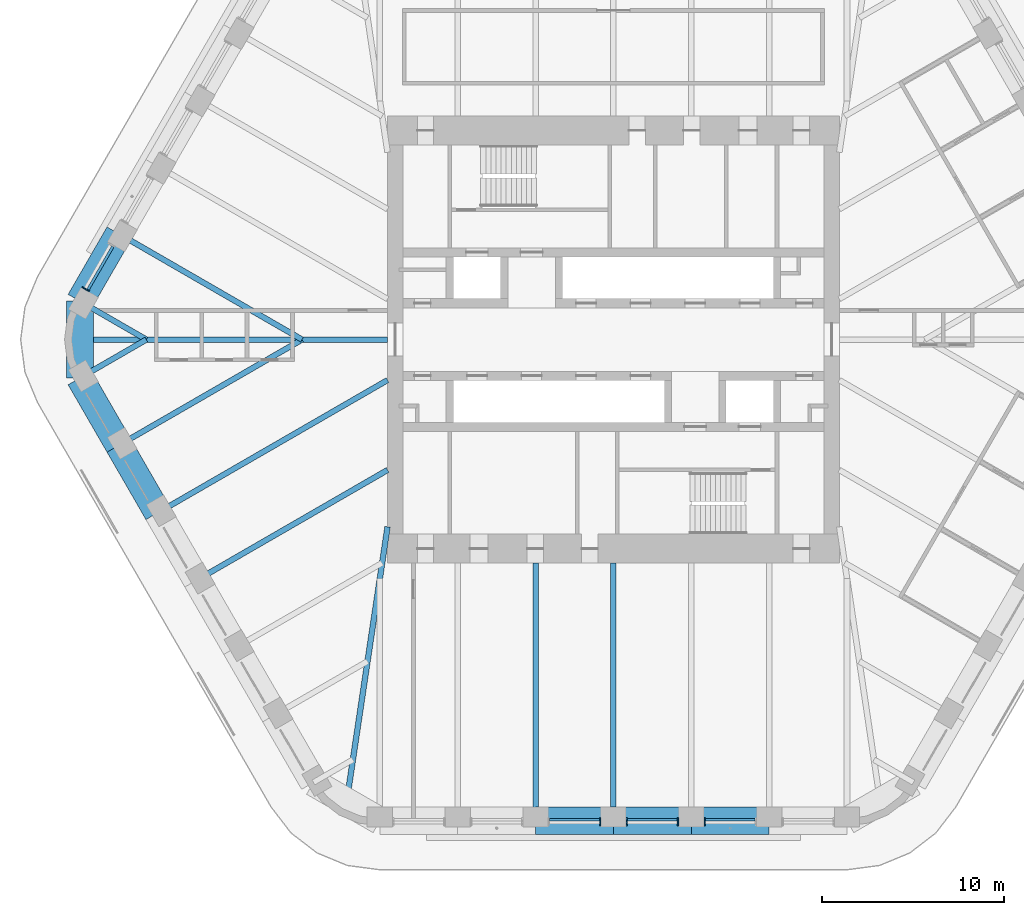
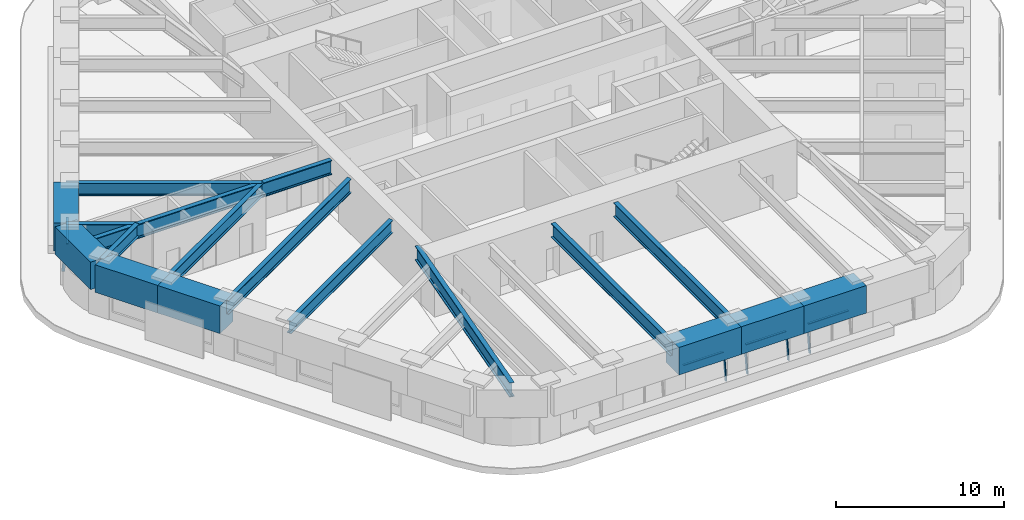
# One storey, part 3 of 18: 17 beams, 9 members, 4 elements without a shape of their own.
"""IFC4 building model written with IfcOpenShell, lengths in metres."""

import ifcopenshell
import ifcopenshell.guid

model = None  # the IFC model being written
_history = None  # IfcOwnerHistory: only IFC2X3 demands one
_inside = {}  # id of a spatial element -> (the spatial element, [elements in it])
_under = {}  # id of a project, library or spatial element -> (it, [spatial elements below it])
_declared = {}  # id of a project -> (the project, [libraries it declares])
_typed = {}  # id of a type object -> (the type object, [elements of that type])
_made_of = {}  # id of a material, layer set ... -> (it, [elements and type objects made of it])


def new_model(schema):
    """Start an empty IFC model of exactly this schema.

    Asked for "IFC4X3", IfcOpenShell would pick the latest addendum, in which some entities
    have other attributes; the version numbers below select the first issue.
    IFC2X3 requires an IfcOwnerHistory on every rooted entity: one is made here for all.
    """
    global model, _history
    if schema == "IFC4X3":
        model = ifcopenshell.file(schema_version=(4, 3, 0, 0))
    else:
        model = ifcopenshell.file(schema=schema)
    _inside.clear()
    _under.clear()
    _declared.clear()
    _typed.clear()
    _made_of.clear()
    _history = None
    if model.schema == "IFC2X3":
        org = make("IfcOrganization", Name="unknown")
        user = make(
            "IfcPersonAndOrganization",
            ThePerson=make("IfcPerson", FamilyName="unknown"),
            TheOrganization=org,
        )
        app = make(
            "IfcApplication",
            ApplicationDeveloper=org,
            Version="unknown",
            ApplicationFullName="unknown",
            ApplicationIdentifier="unknown",
        )
        _history = make(
            "IfcOwnerHistory",
            OwningUser=user,
            OwningApplication=app,
            ChangeAction="ADDED",
            CreationDate=0,
        )
    return model


def make(cls, **values):
    """One entity of the class cls with the attributes given. An attribute that is None is left unset."""
    return model.create_entity(
        cls, **{name: value for name, value in values.items() if value is not None}
    )


def rooted(cls, **values):
    """An entity with a GlobalId (a new one), such as an element, a storey or a relation."""
    return make(cls, GlobalId=ifcopenshell.guid.new(), OwnerHistory=_history, **values)


def si_unit(unit_type, name, prefix=None):
    """IfcSIUnit, for example si_unit("LENGTHUNIT", "METRE", prefix="MILLI")."""
    return make("IfcSIUnit", UnitType=unit_type, Prefix=prefix, Name=name)


def assignment(units):
    """IfcUnitAssignment: the units of a project."""
    return None if units is None else make("IfcUnitAssignment", Units=units)


def point(xyz):
    """IfcCartesianPoint."""
    return None if xyz is None else make("IfcCartesianPoint", Coordinates=xyz)


def direction(xyz):
    """IfcDirection."""
    return None if xyz is None else make("IfcDirection", DirectionRatios=xyz)


def frame(location, z_axis=None, x_axis=None):
    """IfcAxis2Placement3D, a coordinate frame: its origin and axes. An axis left out is left unset."""
    return make(
        "IfcAxis2Placement3D",
        Location=point(location),
        Axis=direction(z_axis),
        RefDirection=direction(x_axis),
    )


def frame_2d(location, x_axis=None):
    """IfcAxis2Placement2D, a coordinate frame in the plane: its origin and x axis."""
    return make(
        "IfcAxis2Placement2D", Location=point(location), RefDirection=direction(x_axis)
    )


def origin():
    """The frame at (0, 0, 0) with its axes left unset."""
    return frame((0.0, 0.0, 0.0))


def origin_2d():
    """The frame at (0, 0) in the plane with its x axis left unset."""
    return frame_2d((0.0, 0.0))


def place(relative_to, where):
    """IfcLocalPlacement: puts the frame where relative to a parent placement (None: the world)."""
    return make(
        "IfcLocalPlacement", PlacementRelTo=relative_to, RelativePlacement=where
    )


def context(
    kind, dimensions, precision=None, world=None, true_north=None, identifier=None
):
    """IfcGeometricRepresentationContext, for example the 3D "Model" context."""
    return make(
        "IfcGeometricRepresentationContext",
        ContextIdentifier=identifier,
        ContextType=kind,
        CoordinateSpaceDimension=dimensions,
        Precision=precision,
        WorldCoordinateSystem=world,
        TrueNorth=true_north,
    )


def subcontext(parent, identifier, kind, view, scale=None):
    """IfcGeometricRepresentationSubContext, for example "Body" below "Model"."""
    return make(
        "IfcGeometricRepresentationSubContext",
        ContextIdentifier=identifier,
        ContextType=kind,
        ParentContext=parent,
        TargetScale=scale,
        TargetView=view,
    )


def project(units=None, contexts=None):
    """IfcProject with its units and contexts."""
    return rooted(
        "IfcProject",
        Name="project",
        RepresentationContexts=contexts,
        UnitsInContext=assignment(units),
    )


def spatial(cls, under=None, at=None, **own):
    """A site, building, storey or space (cls), placed at a placement, below another one or the project."""
    s = rooted(cls, ObjectPlacement=at, **own)
    if under is not None:
        _under.setdefault(under.id(), (under, []))[1].append(s)
    return s


def profile(cls, at=None, kind="AREA", **sizes):
    """A parametric profile (cls). Its sizes go by their IFC names, for example OverallWidth=200.0."""
    return make(cls, ProfileType=kind, Position=at, **sizes)


def rectangle(**sizes):
    """IfcRectangleProfileDef."""
    return profile("IfcRectangleProfileDef", **sizes)


def i_section(**sizes):
    """IfcIShapeProfileDef."""
    return profile("IfcIShapeProfileDef", **sizes)


def extrude(swept, where, along, depth):
    """IfcExtrudedAreaSolid: the profile swept, set in the frame where, extruded along a direction by depth."""
    return make(
        "IfcExtrudedAreaSolid",
        SweptArea=swept,
        Position=where,
        ExtrudedDirection=direction(along),
        Depth=depth,
    )


def shape(context_of_items, identifier, shape_type, items):
    """IfcShapeRepresentation: the items that make up one representation, for example the "Body"."""
    return make(
        "IfcShapeRepresentation",
        ContextOfItems=context_of_items,
        RepresentationIdentifier=identifier,
        RepresentationType=shape_type,
        Items=items,
    )


def material(Name=None, Category=None):
    """IfcMaterial."""
    return make("IfcMaterial", Name=Name, Category=Category)


def material_profile(
    of_material, cross_section, Name=None, Category=None, Priority=None
):
    """IfcMaterialProfile: a cross section and its material."""
    return make(
        "IfcMaterialProfile",
        Name=Name,
        Material=of_material,
        Profile=cross_section,
        Priority=Priority,
        Category=Category,
    )


def profile_set(profiles, Name=None, composite=None):
    """IfcMaterialProfileSet."""
    return make(
        "IfcMaterialProfileSet",
        Name=Name,
        MaterialProfiles=profiles,
        CompositeProfile=composite,
    )


def made_of(thing, what):
    """Note that an element or type object is made of a material, layer set ...; save() writes the relation."""
    if what is not None:
        _made_of.setdefault(what.id(), (what, []))[1].append(thing)
    return thing


def type_object(cls, material=None, **own):
    """A type object (cls), such as IfcWallType, which elements share."""
    return made_of(rooted(cls, **own), material)


def element(
    cls,
    number,
    at=None,
    inside=None,
    cuts=None,
    type_object=None,
    material=None,
    context=None,
    identifier="Body",
    shape_type=None,
    held_by="IfcProductDefinitionShape",
    body=None,
    shapes=None,
    **own,
):
    """One element of the class cls, such as IfcWall. Its Tag is "e" and its number.

    at: its placement. inside: the storey or other place that contains it. cuts: it is an
    opening in that element (IfcRelVoidsElement). A single representation is given by context,
    identifier, shape_type and body (its items); several are given by shapes. held_by: the class
    of the entity that holds the representations. save() writes the other relations.
    """
    e = rooted(cls, Tag="e%d" % number, ObjectPlacement=at, **own)
    if body is not None:
        shapes = [shape(context, identifier, shape_type, body)]
    if shapes is not None:
        e.Representation = make(held_by, Representations=shapes)
    if inside is not None:
        _inside.setdefault(inside.id(), (inside, []))[1].append(e)
    if cuts is not None:
        rooted(
            "IfcRelVoidsElement", RelatingBuildingElement=cuts, RelatedOpeningElement=e
        )
    if type_object is not None:
        _typed.setdefault(type_object.id(), (type_object, []))[1].append(e)
    return made_of(e, material)


def aggregate(whole, parts):
    """IfcRelAggregates: a whole, such as a stair, and the parts it consists of."""
    return rooted("IfcRelAggregates", RelatingObject=whole, RelatedObjects=parts)


def save(model, path):
    """Write the relations noted so far, then the file.

    IfcRelAggregates (storeys below a building ...), IfcRelContainedInSpatialStructure (elements
    in a storey), IfcRelDefinesByType, IfcRelAssociatesMaterial and IfcRelDeclares: one each for
    every whole, place, type object, material and project.
    """
    for whole, parts in _under.values():
        aggregate(whole, parts)
    for where, things in _inside.values():
        rooted(
            "IfcRelContainedInSpatialStructure",
            RelatedElements=things,
            RelatingStructure=where,
        )
    for kind, things in _typed.values():
        rooted("IfcRelDefinesByType", RelatedObjects=things, RelatingType=kind)
    for what, things in _made_of.values():
        rooted("IfcRelAssociatesMaterial", RelatedObjects=things, RelatingMaterial=what)
    for by, libraries in _declared.values():
        rooted("IfcRelDeclares", RelatingContext=by, RelatedDefinitions=libraries)
    model.write(path)


model = new_model("IFC4")

# Units and contexts
model_context = context("Model", 3, precision=1e-05, world=origin(), true_north=direction((0.0, 1.0)))
body_context = subcontext(model_context, "Body", "Model", "MODEL_VIEW")
ifc_project = project(units=[si_unit("LENGTHUNIT", "METRE"), si_unit("AREAUNIT", "SQUARE_METRE"), si_unit("VOLUMEUNIT", "CUBIC_METRE"), si_unit("PLANEANGLEUNIT", "RADIAN"), si_unit("MASSUNIT", "GRAM", prefix="KILO")], contexts=[model_context])

# Site, building, storey
site_placement = place(None, origin())
site = spatial("IfcSite", under=ifc_project, at=site_placement, CompositionType="ELEMENT")
building_placement = place(site_placement, origin())
building = spatial("IfcBuilding", under=site, at=building_placement, Name="Tarfa Lantern Tower", CompositionType="ELEMENT")
storey_placement = place(building_placement, frame((0.0, 0.0, 324.10009765625)))
storey = spatial("IfcBuildingStorey", under=building, at=storey_placement, Name="L73", CompositionType="ELEMENT", Elevation=324.10009765625)

# Curtain wall, member
ifc_material_1 = material(Name="Aluminium framed curtain wall", Category="aluminium")
curtain_wall_type = type_object("IfcCurtainWallType", Name="CW4 CANTED GLAZING EXECUTIVE ZONE 2000", PredefinedType="USERDEFINED", material=ifc_material_1)
curtain_wall_1_placement = place(storey_placement, origin())
curtain_wall_1 = element("IfcCurtainWall", 1, at=curtain_wall_1_placement, inside=storey, type_object=curtain_wall_type, Name="CW4 NW L73", ObjectType="CURTAIN WALL", PredefinedType="USERDEFINED")
ifc_material_2 = material(Name="Aluminium mullion", Category="aluminium")
ifc_material_profile_1 = material_profile(ifc_material_2, rectangle(XDim=0.06494140625, YDim=0.199951171875, at=origin_2d()), Name="AL MULLION 65x200")
ifc_profile_set_1 = profile_set([ifc_material_profile_1], Name="Aluminium mullion")
member_type_1 = type_object("IfcMemberType", Name="CWM1 MULLION 65x200", PredefinedType="MULLION", material=ifc_profile_set_1)
member_1_placement = place(storey_placement, frame((-29.13623046875, 2.83447265625, 0.0), z_axis=(0.107320246625, -0.062018020623, 0.992288329964), x_axis=(0.500342721131, 0.865827443207, 0.0)))
member_1 = element("IfcMember", 2, at=member_1_placement, type_object=member_type_1, Name="CW4 mullion 2", PredefinedType="MULLION", context=body_context, shape_type="SweptSolid", body=[
    extrude(rectangle(XDim=0.06494140625, YDim=0.199951171875, at=origin_2d()), origin(), (0.0, 0.0, 1.0), 2.015625),
])

curtain_wall_2_placement = place(storey_placement, origin())
curtain_wall_2 = element("IfcCurtainWall", 3, at=curtain_wall_2_placement, inside=storey, type_object=curtain_wall_type, Name="CW4 S L73", ObjectType="CURTAIN WALL", PredefinedType="USERDEFINED")
member_2_placement = place(storey_placement, frame((-0.732421875, -26.64990234375, 0.0), z_axis=(0.0, 0.124034734589, 0.992277876714), x_axis=(-1.0, 0.0, 0.0)))
member_2 = element("IfcMember", 4, at=member_2_placement, type_object=member_type_1, Name="CW4 mullion 2", PredefinedType="MULLION", context=body_context, shape_type="SweptSolid", body=[
    extrude(rectangle(XDim=0.06494140625, YDim=0.199951171875, at=origin_2d()), origin(), (0.0, 0.0, 1.0), 2.015625),
])

# Curtain wall, members
curtain_wall_3_placement = place(storey_placement, origin())
curtain_wall_3 = element("IfcCurtainWall", 5, at=curtain_wall_3_placement, inside=storey, type_object=curtain_wall_type, Name="CW4 S L73", ObjectType="CURTAIN WALL", PredefinedType="USERDEFINED")
member_3_placement = place(storey_placement, frame((0.732421875, -26.64990234375, 0.0), z_axis=(0.0, 0.124034734589, 0.992277876714), x_axis=(-1.0, 0.0, 0.0)))
member_3 = element("IfcMember", 6, at=member_3_placement, type_object=member_type_1, Name="CW4 mullion 1", PredefinedType="MULLION", context=body_context, shape_type="SweptSolid", body=[
    extrude(rectangle(XDim=0.06494140625, YDim=0.199951171875, at=origin_2d()), origin(), (0.0, 0.0, 1.0), 2.015625),
])
member_4_placement = place(storey_placement, frame((3.549560546875, -26.64990234375, 0.0), z_axis=(0.0, 0.124034734589, 0.992277876714), x_axis=(-1.0, 0.0, 0.0)))
member_4 = element("IfcMember", 7, at=member_4_placement, type_object=member_type_1, Name="CW4 mullion 2", PredefinedType="MULLION", context=body_context, shape_type="SweptSolid", body=[
    extrude(rectangle(XDim=0.06494140625, YDim=0.199951171875, at=origin_2d()), origin(), (0.0, 0.0, 1.0), 2.015625),
])

# Curtain wall, member
curtain_wall_4_placement = place(storey_placement, origin())
curtain_wall_4 = element("IfcCurtainWall", 8, at=curtain_wall_4_placement, inside=storey, type_object=curtain_wall_type, Name="CW4 S L73", ObjectType="CURTAIN WALL", PredefinedType="USERDEFINED")
member_5_placement = place(storey_placement, frame((5.014404296875, -26.64990234375, 0.0), z_axis=(0.0, 0.124034734589, 0.992277876714), x_axis=(-1.0, 0.0, 0.0)))
member_5 = element("IfcMember", 9, at=member_5_placement, type_object=member_type_1, Name="CW4 mullion 1", PredefinedType="MULLION", context=body_context, shape_type="SweptSolid", body=[
    extrude(rectangle(XDim=0.06494140625, YDim=0.199951171875, at=origin_2d()), origin(), (0.0, 0.0, 1.0), 2.015625),
])

# Member
ifc_material_3 = material(Name="Aluminium transom", Category="aluminium")
ifc_material_profile_2 = material_profile(ifc_material_3, rectangle(XDim=0.14990234375, YDim=0.06494140625, at=origin_2d()), Name="AL TRANSOM 150x65")
ifc_profile_set_2 = profile_set([ifc_material_profile_2], Name="Aluminium transom")
member_type_2 = type_object("IfcMemberType", Name="CWT1 TRANSOM 150x65", PredefinedType="USERDEFINED", material=ifc_profile_set_2)
member_6_placement = place(storey_placement, frame((-27.531005859375, 5.122802734375, 1.96728515625), z_axis=(-0.500060322201, -0.865990573944, 0.0), x_axis=(0.865990573944, -0.500060322201, 0.0)))
member_6 = element("IfcMember", 10, at=member_6_placement, type_object=member_type_2, Name="CW4 transom 1.2", ObjectType="TRANSOM", PredefinedType="USERDEFINED", context=body_context, shape_type="SweptSolid", body=[
    extrude(rectangle(XDim=0.14990234375, YDim=0.06494140625, at=origin_2d()), origin(), (0.0, 0.0, 1.0), 2.752197265625),
])

aggregate(curtain_wall_1, [member_1, member_6])

member_7_placement = place(storey_placement, frame((-3.51708984375, -26.404052734375, 1.96728515625), z_axis=(1.0, 0.0, 0.0), x_axis=(0.0, 1.0, 0.0)))
member_7 = element("IfcMember", 11, at=member_7_placement, type_object=member_type_2, Name="CW4 transom 1.2", ObjectType="TRANSOM", PredefinedType="USERDEFINED", context=body_context, shape_type="SweptSolid", body=[
    extrude(rectangle(XDim=0.14990234375, YDim=0.06494140625, at=origin_2d()), origin(), (0.0, 0.0, 1.0), 2.752197265625),
])

aggregate(curtain_wall_2, [member_2, member_7])

member_8_placement = place(storey_placement, frame((0.764892578125, -26.404052734375, 1.96728515625), z_axis=(1.0, 0.0, 0.0), x_axis=(0.0, 1.0, 0.0)))
member_8 = element("IfcMember", 12, at=member_8_placement, type_object=member_type_2, Name="CW4 transom 1.2", ObjectType="TRANSOM", PredefinedType="USERDEFINED", context=body_context, shape_type="SweptSolid", body=[
    extrude(rectangle(XDim=0.14990234375, YDim=0.06494140625, at=origin_2d()), origin(), (0.0, 0.0, 1.0), 2.752197265625),
])

aggregate(curtain_wall_3, [member_3, member_4, member_8])

member_9_placement = place(storey_placement, frame((5.047119140625, -26.404052734375, 1.96728515625), z_axis=(1.0, 0.0, 0.0), x_axis=(0.0, 1.0, 0.0)))
member_9 = element("IfcMember", 13, at=member_9_placement, type_object=member_type_2, Name="CW4 transom 1.2", ObjectType="TRANSOM", PredefinedType="USERDEFINED", context=body_context, shape_type="SweptSolid", body=[
    extrude(rectangle(XDim=0.14990234375, YDim=0.06494140625, at=origin_2d()), origin(), (0.0, 0.0, 1.0), 2.751953125),
])

aggregate(curtain_wall_4, [member_5, member_9])

# Beams
ifc_material_4 = material(Name="Concrete C80/95", Category="concrete")
ifc_material_profile_3 = material_profile(ifc_material_4, rectangle(XDim=1.5, YDim=2.0, at=origin_2d()), Name="RC 1500x2000")
ifc_profile_set_3 = profile_set([ifc_material_profile_3], Name="Concrete C80/95")
beam_type_1 = type_object("IfcBeamType", Name="RB3 RC 1500x2000", PredefinedType="BEAM", material=ifc_profile_set_3)
beam_1_placement = place(storey_placement, frame((-27.205810546875, 5.818359375, 3.0), z_axis=(-0.499984039138, -0.866034618596, 0.0), x_axis=(0.866034618596, -0.499984039138, 0.0)))
element("IfcBeam", 14, at=beam_1_placement, inside=storey, type_object=beam_type_1, Name="Edge beam NW5", PredefinedType="BEAM", context=body_context, shape_type="SweptSolid", body=[
    extrude(rectangle(XDim=1.5, YDim=2.0, at=origin_2d()), origin(), (0.0, 0.0, 1.0), 4.281982421875),
])
beam_2_placement = place(storey_placement, frame((-29.3466796875, 2.110107421875, 3.0), z_axis=(0.0, -1.0, 0.0), x_axis=(1.0, 0.0, 0.0)))
element("IfcBeam", 15, at=beam_2_placement, inside=storey, type_object=beam_type_1, Name="Edge beam NW6", PredefinedType="BEAM", context=body_context, shape_type="SweptSolid", body=[
    extrude(rectangle(XDim=1.5, YDim=2.0, at=origin_2d()), origin(), (0.0, 0.0, 1.0), 4.22021484375),
])
for number, where, z_axis, x_axis, name in (
    (16, (-29.3466796875, -2.110107421875, 3.0), (0.499984039138, -0.866034618596, 0.0), (0.866034618596, 0.499984039138, 0.0), "Edge beam SW0"),
    (17, (-27.205810546875, -5.818359375, 3.0), (0.500026801138, -0.866009929587, 0.0), (0.866009929587, 0.500026801138, 0.0), "Edge beam SW1"),
    (18, (-4.281982421875, -26.469970703125, 3.0), (1.0, 0.0, 0.0), (0.0, 1.0, 0.0), "Edge beam S2"),
    (19, (0.0, -26.469970703125, 3.0), (1.0, 0.0, 0.0), (0.0, 1.0, 0.0), "Edge beam S3"),
    (20, (4.281982421875, -26.469970703125, 3.0), (1.0, 0.0, 0.0), (0.0, 1.0, 0.0), "Edge beam S4"),
):
    element("IfcBeam", number, at=place(storey_placement, frame(where, z_axis=z_axis, x_axis=x_axis)), inside=storey, type_object=beam_type_1, Name=name, PredefinedType="BEAM", context=body_context, shape_type="SweptSolid", body=[
        extrude(rectangle(XDim=1.5, YDim=2.0, at=origin_2d()), origin(), (0.0, 0.0, 1.0), 4.281982421875),
    ])
ifc_material_5 = material(Name="Steel S460M", Category="steel")
ifc_material_profile_4 = material_profile(ifc_material_5, i_section(OverallWidth=0.302001953125, OverallDepth=1.008056640625, WebThickness=0.02099609375, FlangeThickness=0.0400390625, FilletRadius=0.030029296875, at=origin_2d()), Name="UB1016x305x349")
ifc_profile_set_4 = profile_set([ifc_material_profile_4], Name="Steel S460M")
beam_type_2 = type_object("IfcBeamType", Name="UB1016x305x349", PredefinedType="BEAM", material=ifc_profile_set_4)
beam_3_placement = place(storey_placement, frame((-25.064697265625, -9.526611328125, 3.495849609375), z_axis=(0.866029591389, 0.499992746786, 0.0), x_axis=(-0.499992746786, 0.866029591389, 0.0)))
element("IfcBeam", 21, at=beam_3_placement, inside=storey, type_object=beam_type_2, Name="Floor beam SW2", PredefinedType="BEAM", context=body_context, shape_type="SweptSolid", body=[
    extrude(i_section(OverallWidth=0.302001953125, OverallDepth=1.008056640625, WebThickness=0.02099609375, FlangeThickness=0.0400390625, FilletRadius=0.030029296875, at=origin_2d()), origin(), (0.0, 0.0, 1.0), 14.594970703125),
])
for number, where, z_axis, x_axis, name in (
    (22, (-4.281982421875, -26.469970703125, 3.495849609375), (0.0, 1.0, 0.0), (-1.0, 0.0, 0.0), "Floor beam S2"),
    (23, (0.0, -26.469970703125, 3.495849609375), (0.0, 1.0, 0.0), (-1.0, 0.0, 0.0), "Floor beam S3"),
):
    element("IfcBeam", number, at=place(storey_placement, frame(where, z_axis=z_axis, x_axis=x_axis)), inside=storey, type_object=beam_type_2, Name=name, PredefinedType="BEAM", context=body_context, shape_type="SweptSolid", body=[
        extrude(i_section(OverallWidth=0.302001953125, OverallDepth=1.008056640625, WebThickness=0.02099609375, FlangeThickness=0.0400390625, FilletRadius=0.030029296875, at=origin_2d()), origin(), (0.0, 0.0, 1.0), 14.169921875),
    ])
ifc_material_profile_5 = material_profile(ifc_material_5, i_section(OverallWidth=0.30859375, OverallDepth=1.036376953125, WebThickness=0.030029296875, FlangeThickness=0.05419921875, FilletRadius=0.030029296875, at=origin_2d()), Name="UB1016x305x487")
ifc_profile_set_5 = profile_set([ifc_material_profile_5], Name="Steel S460M")
beam_type_3 = type_object("IfcBeamType", Name="UB1016x305x487", PredefinedType="BEAM", material=ifc_profile_set_5)
beam_4_placement = place(storey_placement, frame((-12.425048828125, 0.0, 3.481689453125), z_axis=(-1.0, 0.0, 0.0), x_axis=(0.0, -1.0, 0.0)))
element("IfcBeam", 24, at=beam_4_placement, inside=storey, type_object=beam_type_3, Name="Hip girder W", PredefinedType="BEAM", context=body_context, shape_type="SweptSolid", body=[
    extrude(i_section(OverallWidth=0.30859375, OverallDepth=1.036376953125, WebThickness=0.030029296875, FlangeThickness=0.05419921875, FilletRadius=0.030029296875, at=origin_2d()), origin(), (0.0, 0.0, 1.0), 16.921630859375),
])
beam_5_placement = place(storey_placement, frame((-12.425048828125, -10.300048828125, 3.481689453125), z_axis=(-0.147127069073, -0.989117599452, 0.0), x_axis=(0.989117599452, -0.147127069073, 0.0)))
element("IfcBeam", 25, at=beam_5_placement, inside=storey, type_object=beam_type_3, Name="Hip girder SW", PredefinedType="BEAM", context=body_context, shape_type="SweptSolid", body=[
    extrude(i_section(OverallWidth=0.30859375, OverallDepth=1.036376953125, WebThickness=0.030029296875, FlangeThickness=0.05419921875, FilletRadius=0.030029296875, at=origin_2d()), origin(), (0.0, 0.0, 1.0), 15.28125),
])
ifc_material_profile_6 = material_profile(ifc_material_5, i_section(OverallWidth=0.305419921875, OverallDepth=0.91845703125, WebThickness=0.017333984375, FlangeThickness=0.02783203125, FilletRadius=0.01904296875, at=origin_2d()), Name="UB914x305x253")
ifc_profile_set_6 = profile_set([ifc_material_profile_6], Name="Steel S460M")
beam_type_4 = type_object("IfcBeamType", Name="UB914x305x253", PredefinedType="BEAM", material=ifc_profile_set_6)
beam_6_placement = place(storey_placement, frame((-27.205810546875, 5.818359375, 3.540771484375), z_axis=(0.866024171998, -0.500002133511, 0.0), x_axis=(0.500002133511, 0.866024171998, 0.0)))
element("IfcBeam", 26, at=beam_6_placement, inside=storey, type_object=beam_type_4, Name="Floor beam NW5", PredefinedType="BEAM", context=body_context, shape_type="SweptSolid", body=[
    extrude(i_section(OverallWidth=0.305419921875, OverallDepth=0.91845703125, WebThickness=0.017333984375, FlangeThickness=0.02783203125, FilletRadius=0.01904296875, at=origin_2d()), origin(), (0.0, 0.0, 1.0), 11.63671875),
])
for number, where, z_axis, x_axis, name in (
    (27, (-29.3466796875, 2.110107421875, 3.540771484375), (0.866009274789, -0.500027935199, 0.0), (0.500027935199, 0.866009274789, 0.0), "Floor beam NW6"),
    (28, (-29.3466796875, -2.110107421875, 3.540771484375), (0.866009274789, 0.500027935199, 0.0), (-0.500027935199, 0.866009274789, 0.0), "Floor beam SW0"),
):
    element("IfcBeam", number, at=place(storey_placement, frame(where, z_axis=z_axis, x_axis=x_axis)), inside=storey, type_object=beam_type_4, Name=name, PredefinedType="BEAM", context=body_context, shape_type="SweptSolid", body=[
        extrude(i_section(OverallWidth=0.305419921875, OverallDepth=0.91845703125, WebThickness=0.017333984375, FlangeThickness=0.02783203125, FilletRadius=0.01904296875, at=origin_2d()), origin(), (0.0, 0.0, 1.0), 4.219970703125),
    ])
beam_7_placement = place(storey_placement, frame((-27.205810546875, -5.818359375, 3.540771484375), z_axis=(0.866024171998, 0.500002133511, 0.0), x_axis=(-0.500002133511, 0.866024171998, 0.0)))
element("IfcBeam", 29, at=beam_7_placement, inside=storey, type_object=beam_type_4, Name="Floor beam SW1", PredefinedType="BEAM", context=body_context, shape_type="SweptSolid", body=[
    extrude(i_section(OverallWidth=0.305419921875, OverallDepth=0.91845703125, WebThickness=0.017333984375, FlangeThickness=0.02783203125, FilletRadius=0.01904296875, at=origin_2d()), origin(), (0.0, 0.0, 1.0), 11.63671875),
])
beam_8_placement = place(storey_placement, frame((-22.923583984375, -13.235107421875, 3.540771484375), z_axis=(0.86601856927, 0.500011837539, 0.0), x_axis=(-0.500011837539, 0.86601856927, 0.0)))
element("IfcBeam", 30, at=beam_8_placement, inside=storey, type_object=beam_type_4, Name="Floor beam SW3", PredefinedType="BEAM", context=body_context, shape_type="SweptSolid", body=[
    extrude(i_section(OverallWidth=0.305419921875, OverallDepth=0.91845703125, WebThickness=0.017333984375, FlangeThickness=0.02783203125, FilletRadius=0.01904296875, at=origin_2d()), origin(), (0.0, 0.0, 1.0), 12.122802734375),
])

save(model, "model.ifc")
